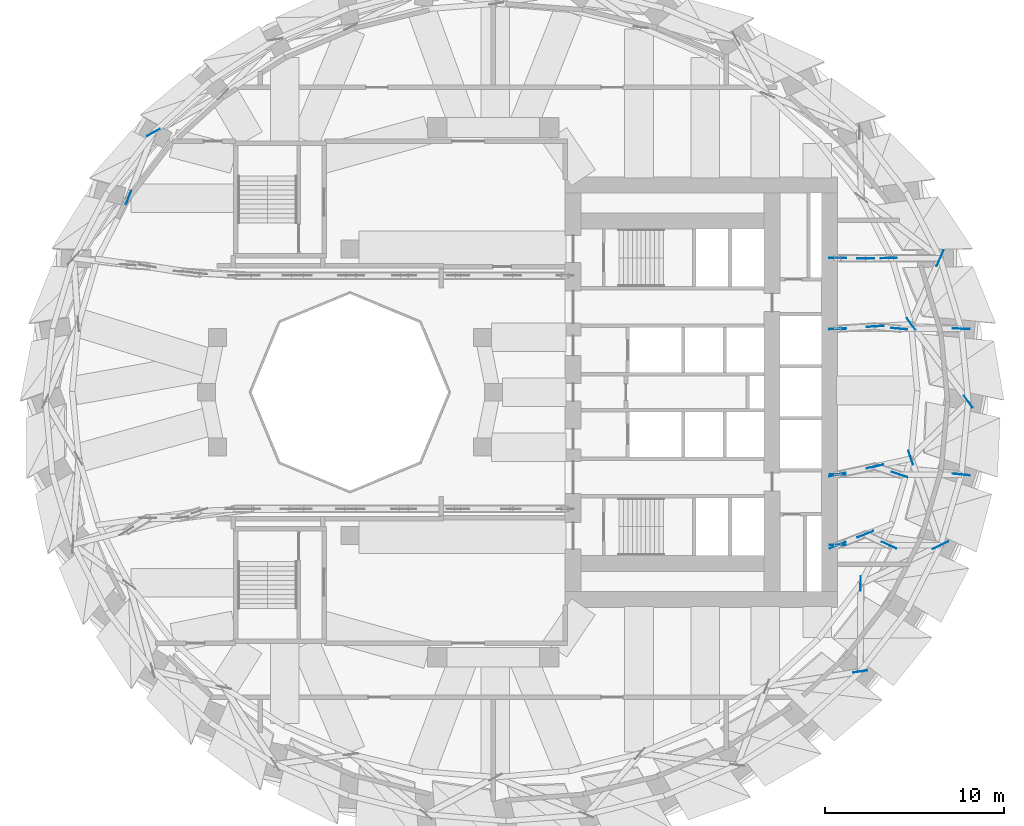
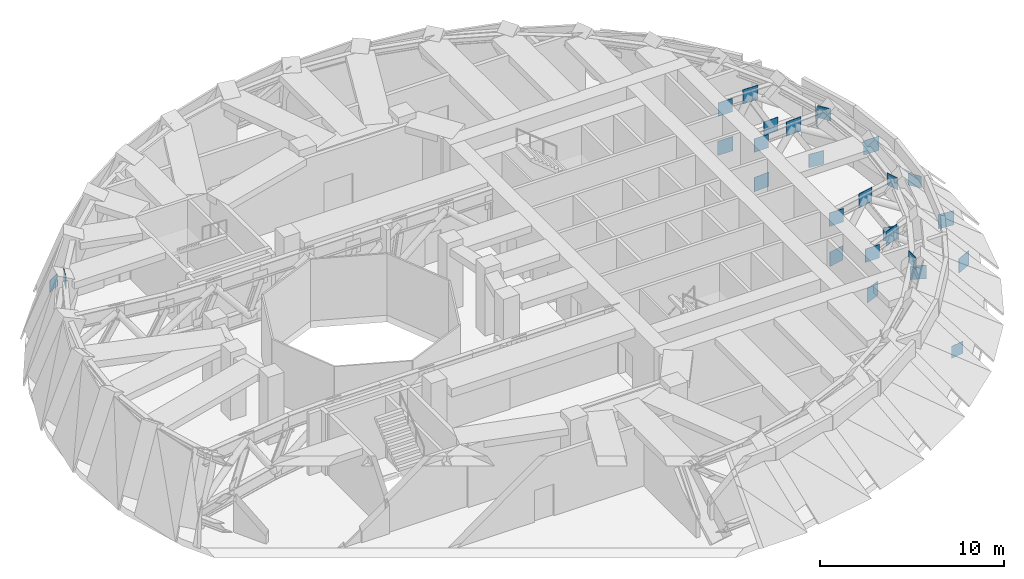
# One storey, part 11 of 14: 27 discrete accessories.
"""IFC4 building model written with IfcOpenShell, lengths in metres."""

from ifc_helpers import new_model, si_unit, direction, frame, origin, origin_2d, place, context, subcontext, project, spatial, rectangle, extrude, material, type_object, element, save


model = new_model("IFC4")

# Units and contexts
model_context = context("Model", 3, precision=1e-05, world=origin(), true_north=direction((0.0, 1.0)))
body_context = subcontext(model_context, "Body", "Model", "MODEL_VIEW")
ifc_project = project(units=[si_unit("LENGTHUNIT", "METRE"), si_unit("AREAUNIT", "SQUARE_METRE"), si_unit("VOLUMEUNIT", "CUBIC_METRE"), si_unit("PLANEANGLEUNIT", "RADIAN"), si_unit("MASSUNIT", "GRAM", prefix="KILO")], contexts=[model_context])

# Site, building, storey
site_placement = place(None, origin())
site = spatial("IfcSite", under=ifc_project, at=site_placement, CompositionType="ELEMENT")
building_placement = place(site_placement, origin())
building = spatial("IfcBuilding", under=site, at=building_placement, Name="Taillehof Tower", CompositionType="ELEMENT")
storey_placement = place(building_placement, frame((0.0, 0.0, 135.10009765625)))
storey = spatial("IfcBuildingStorey", under=building, at=storey_placement, Name="L38", CompositionType="ELEMENT", Elevation=135.10009765625)

# Discrete accessories
ifc_material = material(Name="Steel S460M", Category="steel")
discrete_accessory_type = type_object("IfcDiscreteAccessoryType", Name="Steel gusset plate", PredefinedType="BRACKET", material=ifc_material)
for number, where, z_axis, x_axis, name in (
    (1, (-20.340087890625, 10.860107421875, 3.4697265625), (0.0, 0.0, 1.0), (-0.359101071293, -0.933298677057, 0.0), "Gusset plate 146"),
    (2, (-18.949951171875, 14.489990234375, 0.5), (0.0, 0.0, 1.0), (-0.875934777429, -0.482429544793, 0.0), "Gusset plate 151"),
):
    element("IfcDiscreteAccessory", number, at=place(storey_placement, frame(where, z_axis=z_axis, x_axis=x_axis)), inside=storey, type_object=discrete_accessory_type, Name=name, PredefinedType="BRACKET", context=body_context, shape_type="SweptSolid", body=[
        extrude(rectangle(XDim=0.800048828125, YDim=0.02490234375, at=origin_2d()), origin(), (0.0, 0.0, 1.0), 0.800048828125),
    ])
for number, where, z_axis, x_axis, name in (
    (3, (19.199951171875, -8.530029296875, 0.4248046875), (0.0, 0.0, 1.0), (0.931062184022, 0.364860534293, 0.0), "Gusset plate 187"),
    (4, (19.199951171875, -4.590087890625, 0.4248046875), (0.0, 0.0, 1.0), (0.977249248564, 0.212094097469, 0.0), "Gusset plate 188"),
    (5, (19.199951171875, 3.5400390625, 0.4248046875), (0.0, 0.0, 1.0), (0.998019488858, 0.062905483539, 0.0), "Gusset plate 189"),
    (6, (19.199951171875, 7.47998046875, 0.4248046875), (0.0, 0.0, 1.0), (0.999904897506, -0.013791154542, 0.0), "Gusset plate 190"),
):
    element("IfcDiscreteAccessory", number, at=place(storey_placement, frame(where, z_axis=z_axis, x_axis=x_axis)), inside=storey, type_object=discrete_accessory_type, Name=name, PredefinedType="BRACKET", context=body_context, shape_type="SweptSolid", body=[
        extrude(rectangle(XDim=0.949951171875, YDim=0.02490234375, at=origin_2d()), origin(), (0.0, 0.0, 1.0), 0.949951171875),
    ])
for number, where, z_axis, x_axis, name in (
    (7, (20.469970703125, -15.570068359375, 0.5), (0.0, 0.0, 1.0), (0.987639693655, 0.156741301247, 0.0), "Gusset plate 192"),
    (8, (20.489990234375, -10.669921875, 3.4697265625), (0.0, 0.0, 1.0), (0.004871194678, 0.999988135661, 0.0), "Gusset plate 193"),
):
    element("IfcDiscreteAccessory", number, at=place(storey_placement, frame(where, z_axis=z_axis, x_axis=x_axis)), inside=storey, type_object=discrete_accessory_type, Name=name, PredefinedType="BRACKET", context=body_context, shape_type="SweptSolid", body=[
        extrude(rectangle(XDim=0.800048828125, YDim=0.02490234375, at=origin_2d()), origin(), (0.0, 0.0, 1.0), 0.800048828125),
    ])
for number, where, z_axis, x_axis, name in (
    (9, (20.75, -7.919921875, 3.3046875), (0.0, 0.0, 1.0), (0.931062184022, 0.364860534293, 0.0), "Gusset plate 195"),
    (10, (20.77001953125, 7.4599609375, 3.3046875), (0.0, 0.0, 1.0), (0.999904897506, -0.013791154542, 0.0), "Gusset plate 196"),
    (11, (21.2900390625, -4.139892578125, 3.3046875), (0.0, 0.0, 1.0), (0.977249248564, 0.212094097469, 0.0), "Gusset plate 197"),
    (12, (21.2900390625, 3.669921875, 3.3046875), (0.0, 0.0, 1.0), (0.998019488858, 0.062905483539, 0.0), "Gusset plate 198"),
):
    element("IfcDiscreteAccessory", number, at=place(storey_placement, frame(where, z_axis=z_axis, x_axis=x_axis)), inside=storey, type_object=discrete_accessory_type, Name=name, PredefinedType="BRACKET", context=body_context, shape_type="SweptSolid", body=[
        extrude(rectangle(XDim=0.949951171875, YDim=0.02490234375, at=origin_2d()), origin(), (0.0, 0.0, 1.0), 0.949951171875),
    ])
for number, where, z_axis, x_axis, name in (
    (13, (23.280029296875, -3.64990234375, 3.4697265625), (0.0, 0.0, 1.0), (-0.321771639193, 0.946817306671, 0.0), "Gusset plate 199"),
    (14, (23.300048828125, 3.81005859375, 3.4697265625), (0.0, 0.0, 1.0), (-0.592699389765, 0.805423760124, 0.0), "Gusset plate 200"),
):
    element("IfcDiscreteAccessory", number, at=place(storey_placement, frame(where, z_axis=z_axis, x_axis=x_axis)), inside=storey, type_object=discrete_accessory_type, Name=name, PredefinedType="BRACKET", context=body_context, shape_type="SweptSolid", body=[
        extrude(rectangle(XDim=0.800048828125, YDim=0.02490234375, at=origin_2d()), origin(), (0.0, 0.0, 1.0), 0.800048828125),
    ])
for number, where, z_axis, x_axis, name in (
    (15, (24.919921875, 7.47998046875, 0.4248046875), (0.0, 0.0, 1.0), (0.404519180045, 0.914529514546, 0.0), "Gusset plate 201"),
    (16, (24.93994140625, -8.530029296875, 0.4248046875), (0.0, 0.0, 1.0), (0.901270692112, 0.433256436237, 0.0), "Gusset plate 202"),
    (17, (26.090087890625, 3.5400390625, 0.4248046875), (0.0, 0.0, 1.0), (0.999622298934, -0.027481984546, 0.0), "Gusset plate 203"),
    (18, (26.10009765625, -4.590087890625, 0.4248046875), (0.0, 0.0, 1.0), (0.995607835719, -0.093621778743, 0.0), "Gusset plate 204"),
):
    element("IfcDiscreteAccessory", number, at=place(storey_placement, frame(where, z_axis=z_axis, x_axis=x_axis)), inside=storey, type_object=discrete_accessory_type, Name=name, PredefinedType="BRACKET", context=body_context, shape_type="SweptSolid", body=[
        extrude(rectangle(XDim=0.949951171875, YDim=0.02490234375, at=origin_2d()), origin(), (0.0, 0.0, 1.0), 0.949951171875),
    ])
discrete_accessory_placement = place(storey_placement, frame((26.489990234375, -0.52001953125, 0.5), z_axis=(0.0, 0.0, 1.0), x_axis=(-0.592699389765, 0.805423760124, 0.0)))
element("IfcDiscreteAccessory", 19, at=discrete_accessory_placement, inside=storey, type_object=discrete_accessory_type, Name="Gusset plate 205", PredefinedType="BRACKET", context=body_context, shape_type="SweptSolid", body=[
    extrude(rectangle(XDim=0.800048828125, YDim=0.02490234375, at=origin_2d()), origin(), (0.0, 0.0, 1.0), 0.800048828125),
])
for number, where, z_axis, x_axis, name in (
    (20, (19.199951171875, 3.5400390625, 3.02001953125), (0.0, 0.0, 1.0), (1.0, 0.0, 0.0), "Gusset plate 458"),
    (21, (22.64990234375, 3.5400390625, 0.760009765625), (0.0, 0.0, 1.0), (-0.995278357843, 0.097061786558, 0.0), "Gusset plate 459"),
    (22, (19.199951171875, 7.47998046875, 3.02001953125), (0.0, 0.0, 1.0), (1.0, 0.0, 0.0), "Gusset plate 460"),
    (23, (22.06005859375, 7.47998046875, 0.760009765625), (0.0, 0.0, 1.0), (-0.99986074457, -0.01668806363, 0.0), "Gusset plate 461"),
    (24, (19.199951171875, -8.530029296875, 3.02001953125), (0.0, 0.0, 1.0), (1.0, 0.0, 0.0), "Gusset plate 462"),
    (25, (22.070068359375, -8.530029296875, 0.760009765625), (0.0, 0.0, 1.0), (-0.90776869335, 0.419471094801, 0.0), "Gusset plate 463"),
    (26, (19.199951171875, -4.590087890625, 3.02001953125), (0.0, 0.0, 1.0), (1.0, 0.0, 0.0), "Gusset plate 464"),
    (27, (22.64990234375, -4.590087890625, 0.760009765625), (0.0, 0.0, 1.0), (-0.949102741844, 0.314966641763, 0.0), "Gusset plate 465"),
):
    element("IfcDiscreteAccessory", number, at=place(storey_placement, frame(where, z_axis=z_axis, x_axis=x_axis)), inside=storey, type_object=discrete_accessory_type, Name=name, PredefinedType="BRACKET", context=body_context, shape_type="SweptSolid", body=[
        extrude(rectangle(XDim=0.89990234375, YDim=0.02490234375, at=origin_2d()), origin(), (0.0, 0.0, 1.0), 0.89990234375),
    ])

save(model, "model.ifc")
